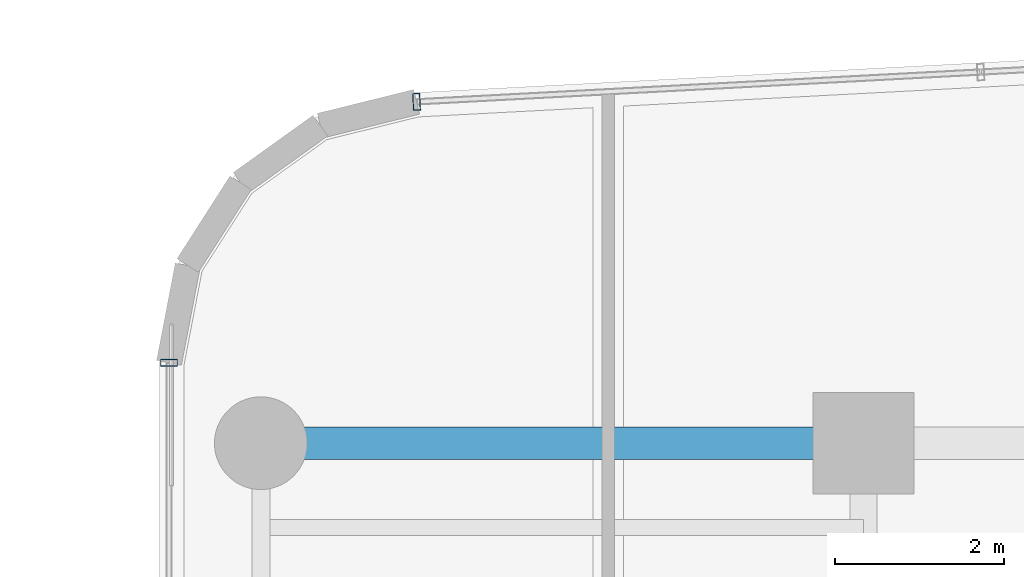
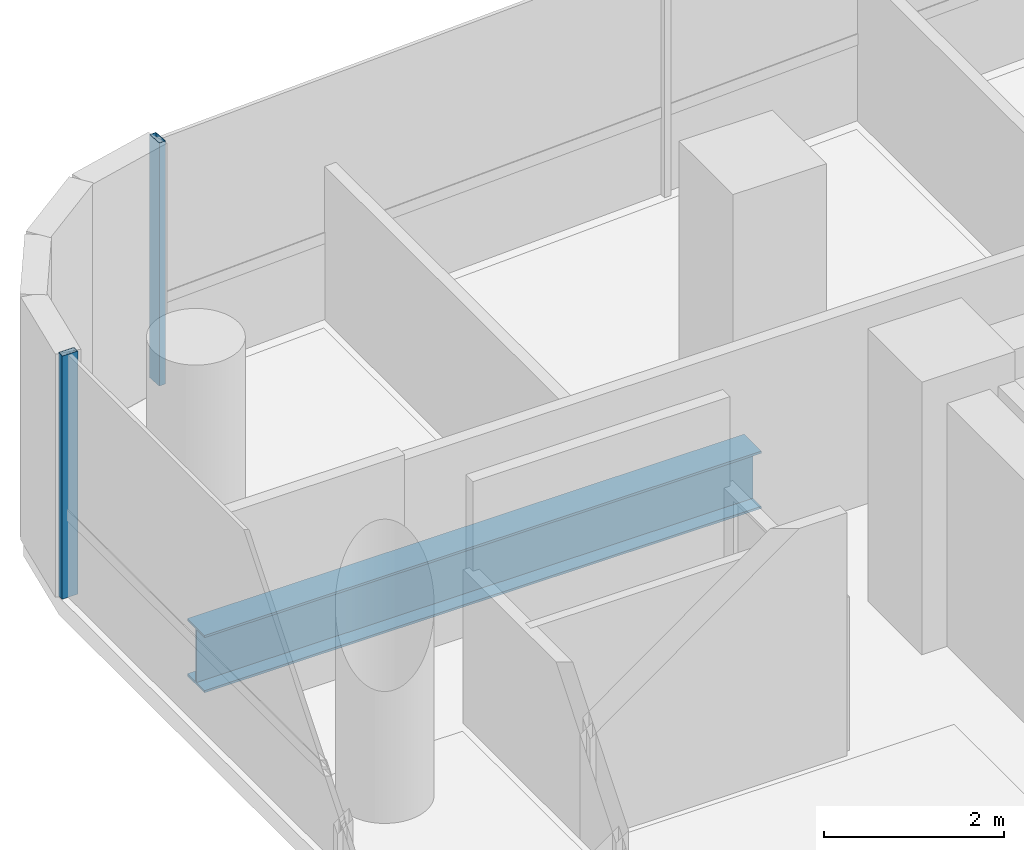
# One storey, part 19 of 35: 2 members, 1 beam, 2 elements without a shape of their own.
"""IFC4 building model written with IfcOpenShell, lengths in metres."""

from ifc_helpers import new_model, si_unit, direction, frame, origin, origin_2d, place, context, subcontext, project, spatial, hollow_rectangle, i_section, extrude, source, transform, mapped, material, material_profile, profile_set, type_object, element, aggregate, save


model = new_model("IFC4")

# Units and contexts
model_context = context("Model", 3, precision=1e-05, world=origin(), true_north=direction((0.0, 1.0)))
body_context = subcontext(model_context, "Body", "Model", "MODEL_VIEW")
ifc_project = project(units=[si_unit("LENGTHUNIT", "METRE"), si_unit("AREAUNIT", "SQUARE_METRE"), si_unit("VOLUMEUNIT", "CUBIC_METRE"), si_unit("PLANEANGLEUNIT", "RADIAN"), si_unit("MASSUNIT", "GRAM", prefix="KILO")], contexts=[model_context])

# Site, building, storey
site_placement = place(None, origin())
site = spatial("IfcSite", under=ifc_project, at=site_placement, CompositionType="ELEMENT")
building_placement = place(site_placement, origin())
building = spatial("IfcBuilding", under=site, at=building_placement, Name="Valdorenza Pilgrim Sanctuary Tower", CompositionType="ELEMENT")
storey_placement = place(building_placement, frame((0.0, 0.0, 168.60009765625)))
storey = spatial("IfcBuildingStorey", under=building, at=storey_placement, Name="L43", CompositionType="ELEMENT", Elevation=168.60009765625)

# Beam
ifc_material_1 = material(Name="Steel ASTM A992 Grade 50", Category="steel")
ifc_material_profile_1 = material_profile(ifc_material_1, i_section(OverallWidth=0.382080078125, OverallDepth=0.779052734375, WebThickness=0.01806640625, FlangeThickness=0.030029296875, at=origin_2d()), Name="W30X191")
ifc_profile_set_1 = profile_set([ifc_material_profile_1], Name="Steel ASTM A992 Grade 50")
beam_type = type_object("IfcBeamType", Name="STR-BM-GRD-W30", PredefinedType="BEAM", material=ifc_profile_set_1)
shared_shape_1 = source(origin(), body_context, "Body", "SweptSolid", [
    extrude(i_section(OverallWidth=0.382080078125, OverallDepth=0.779052734375, WebThickness=0.01806640625, FlangeThickness=0.030029296875, at=origin_2d()), origin(), (0.0, 0.0, 1.0), 7.150146484375),
])
beam_placement = place(storey_placement, frame((-29.800048828125, 14.800048828125, -0.629638671875), z_axis=(1.0, 0.0, 0.0), x_axis=(0.0, 1.0, 0.0)))
element("IfcBeam", 1, at=beam_placement, inside=storey, type_object=beam_type, Name="L43 Floor Girder WA-XW-N2", PredefinedType="BEAM", context=body_context, shape_type="MappedRepresentation", body=[
    mapped(shared_shape_1, transform((0.0, 0.0, 0.0), x_axis=(1.0, 0.0, 0.0), y_axis=(0.0, 1.0, 0.0), z_axis=(0.0, 0.0, 1.0), scale=1.0)),
])

# Curtain wall, member
ifc_material_2 = material(Name="Curtain-wall IGU glazing", Category="glass")
curtain_wall_type = type_object("IfcCurtainWallType", Name="CW-SYS-02", PredefinedType="NOTDEFINED", material=ifc_material_2)
curtain_wall_1_placement = place(storey_placement, origin())
curtain_wall_1 = element("IfcCurtainWall", 2, at=curtain_wall_1_placement, inside=storey, type_object=curtain_wall_type, Name="L43 Curtain Wall CW-L43-1-1S2", PredefinedType="NOTDEFINED")
ifc_material_3 = material(Name="Anodised aluminium AW-6060", Category="aluminium")
ifc_material_profile_2 = material_profile(ifc_material_3, hollow_rectangle(XDim=0.0849609375, YDim=0.199951171875, WallThickness=0.0048828125, at=origin_2d()), Name="ALU-M 200x85x5")
ifc_profile_set_2 = profile_set([ifc_material_profile_2], Name="Anodised aluminium AW-6060")
member_type = type_object("IfcMemberType", Name="CW-MUL-02", PredefinedType="MULLION", material=ifc_profile_set_2)
shared_shape_2 = source(origin(), body_context, "Body", "SweptSolid", [
    extrude(hollow_rectangle(XDim=0.0849609375, YDim=0.199951171875, WallThickness=0.0048828125, at=origin_2d()), origin(), (0.0, 0.0, 1.0), 3.2998046875),
])
member_1_placement = place(storey_placement, frame((-30.889892578125, 15.754150390625, 0.0), z_axis=(0.0, 0.0, 1.0), x_axis=(0.0, 1.0, 0.0)))
member_1 = element("IfcMember", 3, at=member_1_placement, type_object=member_type, Name="CW-L43-1-1S2 Mullion 4", PredefinedType="MULLION", context=body_context, shape_type="MappedRepresentation", body=[
    mapped(shared_shape_2, transform((0.0, 0.0, 0.0), x_axis=(1.0, 0.0, 0.0), y_axis=(0.0, 1.0, 0.0), z_axis=(0.0, 0.0, 1.0), scale=1.0)),
])
aggregate(curtain_wall_1, [member_1])

curtain_wall_2_placement = place(storey_placement, origin())
curtain_wall_2 = element("IfcCurtainWall", 4, at=curtain_wall_2_placement, inside=storey, type_object=curtain_wall_type, Name="L43 Curtain Wall CW-L43-1-6", PredefinedType="NOTDEFINED")
member_2_placement = place(storey_placement, frame((-27.952392578125, 18.850830078125, 0.0), z_axis=(0.0, 0.0, 1.0), x_axis=(0.998607524712, 0.052754256601, 0.0)))
member_2 = element("IfcMember", 5, at=member_2_placement, type_object=member_type, Name="CW-L43-1-6 Mullion 1", PredefinedType="MULLION", context=body_context, shape_type="MappedRepresentation", body=[
    mapped(shared_shape_2, transform((0.0, 0.0, 0.0), x_axis=(1.0, 0.0, 0.0), y_axis=(0.0, 1.0, 0.0), z_axis=(0.0, 0.0, 1.0), scale=1.0)),
])
aggregate(curtain_wall_2, [member_2])

save(model, "model.ifc")
